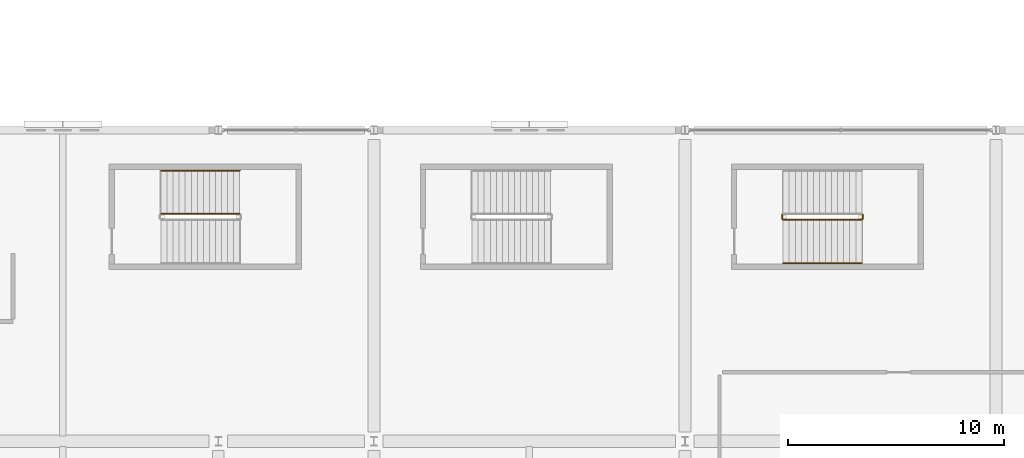
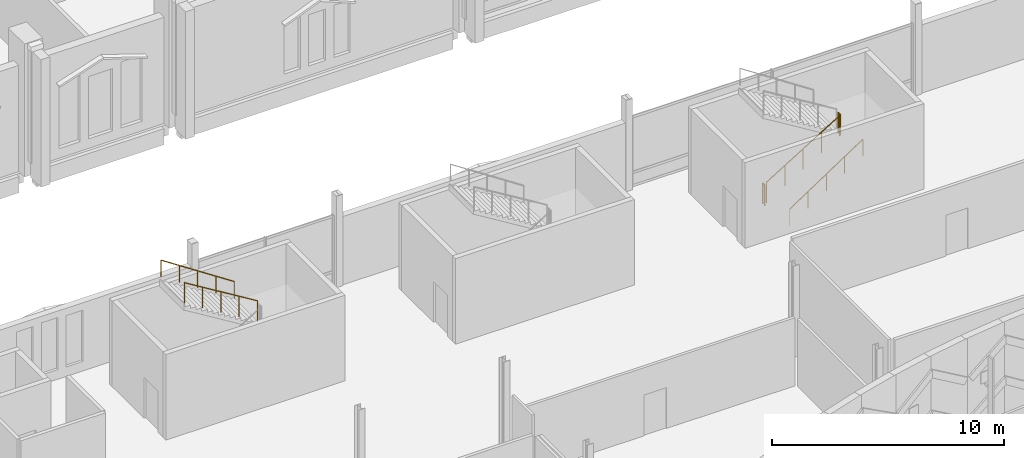
# One storey, part 200 of 220: 6 railings.
"""IFC4 building model written with IfcOpenShell, lengths in metres."""

from ifc_helpers import new_model, si_unit, direction, frame, origin, origin_2d, place, context, subcontext, project, spatial, circle, extrude, material, type_object, element, save


model = new_model("IFC4")

# Units and contexts
model_context = context("Model", 3, precision=1e-05, world=origin(), true_north=direction((0.0, 1.0)))
body_context = subcontext(model_context, "Body", "Model", "MODEL_VIEW")
ifc_project = project(units=[si_unit("LENGTHUNIT", "METRE"), si_unit("AREAUNIT", "SQUARE_METRE"), si_unit("VOLUMEUNIT", "CUBIC_METRE"), si_unit("PLANEANGLEUNIT", "RADIAN"), si_unit("MASSUNIT", "GRAM", prefix="KILO")], contexts=[model_context])

# Site, building, storey
site_placement = place(None, origin())
site = spatial("IfcSite", under=ifc_project, at=site_placement, CompositionType="ELEMENT")
building_placement = place(site_placement, origin())
building = spatial("IfcBuilding", under=site, at=building_placement, Name="Cendralis Lancet Convention Centre", CompositionType="ELEMENT")
storey_placement = place(building_placement, frame((0.0, 0.0, 5.39990234375)))
storey = spatial("IfcBuildingStorey", under=building, at=storey_placement, Name="L01", CompositionType="ELEMENT", Elevation=5.39990234375)

# Railings
ifc_material = material(Name="Steel S355", Category="steel")
railing_type_1 = type_object("IfcRailingType", Name="ARC-RL-CGD", PredefinedType="GUARDRAIL", material=ifc_material)
railing_1_placement = place(storey_placement, frame((72.989990234375, 32.1298828125, 2.571533203125)))
element("IfcRailing", 1, at=railing_1_placement, inside=storey, type_object=railing_type_1, Name="L01 ST-12 stair guard 3", PredefinedType="GUARDRAIL", context=body_context, shape_type="SweptSolid", body=[
    extrude(circle(Radius=0.02392578125, at=origin_2d()), frame((0.0, 0.0, 1.076171875), z_axis=(-0.852850264322, 0.0, 0.5221555579), x_axis=(0.0, -1.0, 0.0)), (0.0, 0.0, 1.0), 4.267822265625),
    extrude(circle(Radius=0.02099609375, at=origin_2d()), origin(), (0.0, 0.0, 1.0), 1.052001953125),
    extrude(circle(Radius=0.02099609375, at=origin_2d()), frame((-0.909912109375, 0.0, 0.55712890625)), (0.0, 0.0, 1.0), 1.052001953125),
    extrude(circle(Radius=0.02099609375, at=origin_2d()), frame((-1.81982421875, 0.0, 1.1142578125)), (0.0, 0.0, 1.0), 1.052001953125),
    extrude(circle(Radius=0.02099609375, at=origin_2d()), frame((-2.72998046875, 0.0, 1.67138671875)), (0.0, 0.0, 1.0), 1.052001953125),
    extrude(circle(Radius=0.02099609375, at=origin_2d()), frame((-3.639892578125, 0.0, 2.228515625)), (0.0, 0.0, 1.0), 1.052001953125),
])
railing_2_placement = place(storey_placement, frame((98.14990234375, 31.85009765625, 0.171630859375)))
element("IfcRailing", 2, at=railing_2_placement, inside=storey, type_object=railing_type_1, Name="L01 ST-18 stair guard 1", PredefinedType="GUARDRAIL", context=body_context, shape_type="SweptSolid", body=[
    extrude(circle(Radius=0.02392578125, at=origin_2d()), frame((0.0, 0.0, 1.076171875), z_axis=(0.852865859571, 0.0, 0.52213008492), x_axis=(0.0, 1.0, 0.0)), (0.0, 0.0, 1.0), 4.26806640625),
    extrude(circle(Radius=0.02099609375, at=origin_2d()), origin(), (0.0, 0.0, 1.0), 1.052001953125),
    extrude(circle(Radius=0.02099609375, at=origin_2d()), frame((0.91015625, 0.0, 0.55712890625)), (0.0, 0.0, 1.0), 1.052001953125),
    extrude(circle(Radius=0.02099609375, at=origin_2d()), frame((1.820068359375, 0.0, 1.1142578125)), (0.0, 0.0, 1.0), 1.052001953125),
    extrude(circle(Radius=0.02099609375, at=origin_2d()), frame((2.72998046875, 0.0, 1.67138671875)), (0.0, 0.0, 1.0), 1.052001953125),
    extrude(circle(Radius=0.02099609375, at=origin_2d()), frame((3.64013671875, 0.0, 2.228515625)), (0.0, 0.0, 1.0), 1.052001953125),
])
for number, where, name in (
    (3, (101.840087890625, 31.89990234375, 2.400146484375), "L01 ST-18 stair guard 2"),
    (4, (98.10009765625, 31.89990234375, 0.0), "L01 ST-18 stair guard 4"),
):
    element("IfcRailing", number, at=place(storey_placement, frame(where)), inside=storey, type_object=railing_type_1, Name=name, PredefinedType="GUARDRAIL", context=body_context, shape_type="SweptSolid", body=[
        extrude(circle(Radius=0.02392578125, at=origin_2d()), frame((0.0, 0.0, 1.076171875), z_axis=(0.0, 1.0, 0.0), x_axis=(-1.0, 0.0, 0.0)), (0.0, 0.0, 1.0), 0.18017578125),
        extrude(circle(Radius=0.02099609375, at=origin_2d()), origin(), (0.0, 0.0, 1.0), 1.052001953125),
        extrude(circle(Radius=0.02099609375, at=origin_2d()), frame((0.0, 0.18017578125, 0.0)), (0.0, 0.0, 1.0), 1.052001953125),
    ])
railing_type_2 = type_object("IfcRailingType", Name="ARC-RL-CHR", PredefinedType="HANDRAIL", material=ifc_material)
railing_3_placement = place(storey_placement, frame((72.989990234375, 34.1298828125, 2.571533203125)))
element("IfcRailing", 5, at=railing_3_placement, inside=storey, type_object=railing_type_2, Name="L01 ST-12 stair handrail 2", PredefinedType="HANDRAIL", context=body_context, shape_type="SweptSolid", body=[
    extrude(circle(Radius=0.02392578125, at=origin_2d()), frame((0.0, 0.0, 0.8759765625), z_axis=(-0.834865213223, 0.0, 0.550454426587), x_axis=(0.0, -1.0, 0.0)), (0.0, 0.0, 1.0), 4.35986328125),
    extrude(circle(Radius=0.02099609375, at=origin_2d()), origin(), (0.0, 0.0, 1.0), 0.851806640625),
    extrude(circle(Radius=0.02099609375, at=origin_2d()), frame((-0.909912109375, 0.0, 0.60009765625)), (0.0, 0.0, 1.0), 0.851806640625),
    extrude(circle(Radius=0.02099609375, at=origin_2d()), frame((-1.81982421875, 0.0, 1.199951171875)), (0.0, 0.0, 1.0), 0.851806640625),
    extrude(circle(Radius=0.02099609375, at=origin_2d()), frame((-2.72998046875, 0.0, 1.7998046875)), (0.0, 0.0, 1.0), 0.851806640625),
    extrude(circle(Radius=0.02099609375, at=origin_2d()), frame((-3.639892578125, 0.0, 2.39990234375)), (0.0, 0.0, 1.0), 0.851806640625),
])
railing_4_placement = place(storey_placement, frame((98.14990234375, 29.85009765625, 0.171630859375)))
element("IfcRailing", 6, at=railing_4_placement, inside=storey, type_object=railing_type_2, Name="L01 ST-18 stair handrail 1", PredefinedType="HANDRAIL", context=body_context, shape_type="SweptSolid", body=[
    extrude(circle(Radius=0.02392578125, at=origin_2d()), frame((0.0, 0.0, 0.8759765625), z_axis=(0.83488217925, 0.0, 0.55042869363), x_axis=(0.0, 1.0, 0.0)), (0.0, 0.0, 1.0), 4.360107421875),
    extrude(circle(Radius=0.02099609375, at=origin_2d()), origin(), (0.0, 0.0, 1.0), 0.851806640625),
    extrude(circle(Radius=0.02099609375, at=origin_2d()), frame((0.91015625, 0.0, 0.60009765625)), (0.0, 0.0, 1.0), 0.851806640625),
    extrude(circle(Radius=0.02099609375, at=origin_2d()), frame((1.820068359375, 0.0, 1.199951171875)), (0.0, 0.0, 1.0), 0.851806640625),
    extrude(circle(Radius=0.02099609375, at=origin_2d()), frame((2.72998046875, 0.0, 1.7998046875)), (0.0, 0.0, 1.0), 0.851806640625),
    extrude(circle(Radius=0.02099609375, at=origin_2d()), frame((3.64013671875, 0.0, 2.39990234375)), (0.0, 0.0, 1.0), 0.851806640625),
])

save(model, "model.ifc")
